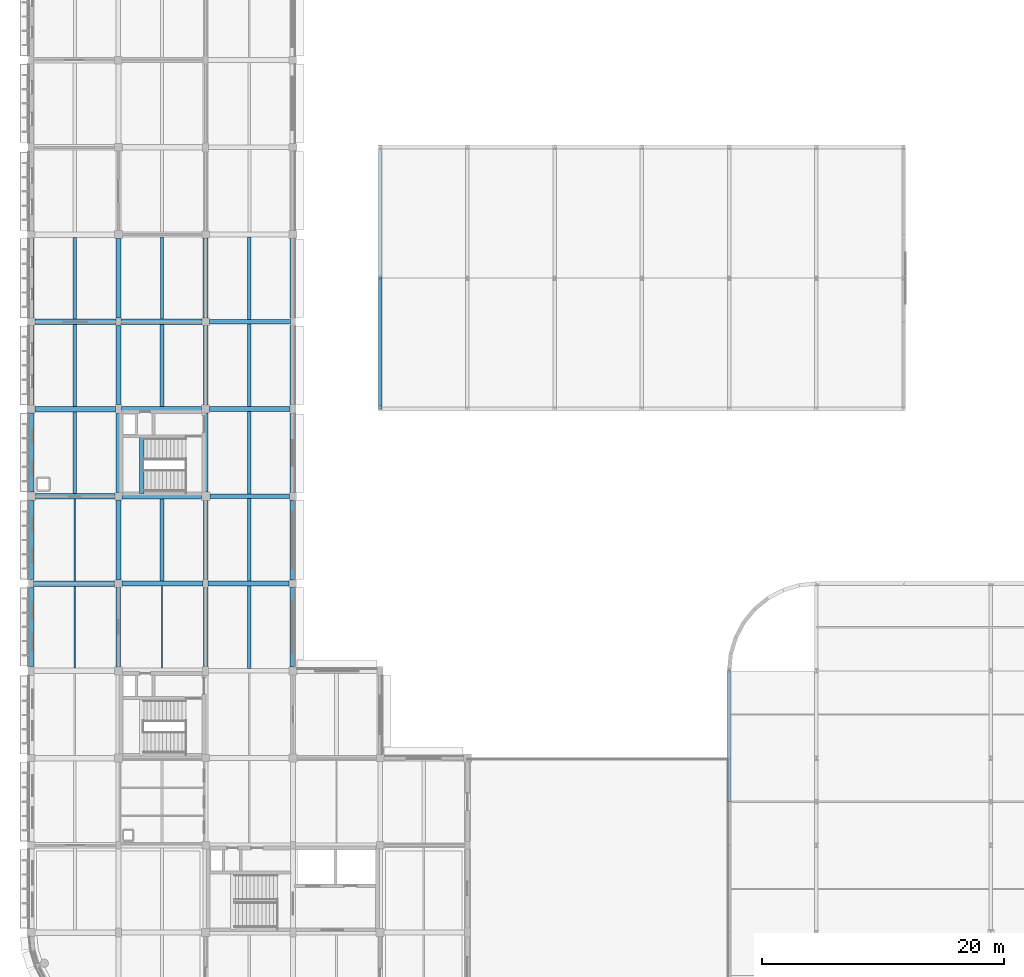
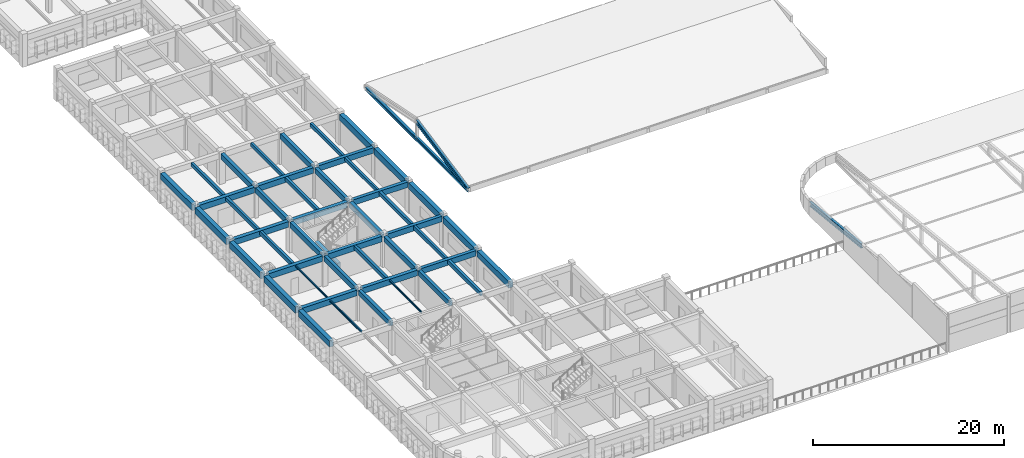
# One storey, part 18 of 103: 47 beams, 3 members.
"""IFC4 building model written with IfcOpenShell, lengths in metres."""

from ifc_helpers import new_model, si_unit, direction, frame, origin, origin_2d, place, context, subcontext, project, spatial, rectangle, i_section, extrude, material, material_profile, profile_set, type_object, element, save


model = new_model("IFC4")

# Units and contexts
model_context = context("Model", 3, precision=1e-05, world=origin(), true_north=direction((0.0, 1.0)))
body_context = subcontext(model_context, "Body", "Model", "MODEL_VIEW")
ifc_project = project(units=[si_unit("LENGTHUNIT", "METRE"), si_unit("AREAUNIT", "SQUARE_METRE"), si_unit("VOLUMEUNIT", "CUBIC_METRE"), si_unit("PLANEANGLEUNIT", "RADIAN"), si_unit("MASSUNIT", "GRAM", prefix="KILO")], contexts=[model_context])

# Site, building, storey
site_placement = place(None, origin())
site = spatial("IfcSite", under=ifc_project, at=site_placement, CompositionType="ELEMENT")
building_placement = place(site_placement, origin())
building = spatial("IfcBuilding", under=site, at=building_placement, Name="Thalmaran Polytechnic", CompositionType="ELEMENT")
storey_placement = place(building_placement, frame((0.0, 0.0, 14.39990234375)))
storey = spatial("IfcBuildingStorey", under=building, at=storey_placement, Name="L03", CompositionType="ELEMENT", Elevation=14.39990234375)

# Beams
ifc_material_1 = material(Name="Concrete C40/50", Category="concrete")
ifc_material_profile_1 = material_profile(ifc_material_1, rectangle(XDim=0.449951171875, YDim=0.72509765625, at=origin_2d()), Name="RC 450x725")
ifc_profile_set_1 = profile_set([ifc_material_profile_1], Name="Concrete C40/50")
beam_type_1 = type_object("IfcBeamType", Name="BM-RC04", PredefinedType="BEAM", material=ifc_profile_set_1)
beam_1_placement = place(storey_placement, frame((0.2099609375, 36.0, 3.57763671875), z_axis=(1.0, 0.0, 0.0), x_axis=(0.0, 1.0, 0.0)))
element("IfcBeam", 1, at=beam_1_placement, inside=storey, type_object=beam_type_1, Name="Grid Beam B04 L03 X(0,5)", PredefinedType="BEAM", context=body_context, shape_type="SweptSolid", body=[
    extrude(rectangle(XDim=0.449951171875, YDim=0.72509765625, at=origin_2d()), origin(), (0.0, 0.0, 1.0), 6.679931640625),
])
beam_2_placement = place(storey_placement, frame((0.340087890625, 43.199951171875, 3.57763671875), z_axis=(1.0, 0.0, 0.0), x_axis=(0.0, 1.0, 0.0)))
element("IfcBeam", 2, at=beam_2_placement, inside=storey, type_object=beam_type_1, Name="Grid Beam B04 L03 X(0,6)", PredefinedType="BEAM", context=body_context, shape_type="SweptSolid", body=[
    extrude(rectangle(XDim=0.449951171875, YDim=0.72509765625, at=origin_2d()), origin(), (0.0, 0.0, 1.0), 6.559814453125),
])
beam_3_placement = place(storey_placement, frame((0.324951171875, 50.39990234375, 3.57763671875), z_axis=(1.0, 0.0, 0.0), x_axis=(0.0, 1.0, 0.0)))
element("IfcBeam", 3, at=beam_3_placement, inside=storey, type_object=beam_type_1, Name="Grid Beam B04 L03 X(0,7)", PredefinedType="BEAM", context=body_context, shape_type="SweptSolid", body=[
    extrude(rectangle(XDim=0.449951171875, YDim=0.72509765625, at=origin_2d()), origin(), (0.0, 0.0, 1.0), 6.625),
])
beam_4_placement = place(storey_placement, frame((0.31005859375, 57.60009765625, 3.57763671875), z_axis=(1.0, 0.0, 0.0), x_axis=(0.0, 1.0, 0.0)))
element("IfcBeam", 4, at=beam_4_placement, inside=storey, type_object=beam_type_1, Name="Grid Beam B04 L03 X(0,8)", PredefinedType="BEAM", context=body_context, shape_type="SweptSolid", body=[
    extrude(rectangle(XDim=0.449951171875, YDim=0.72509765625, at=origin_2d()), origin(), (0.0, 0.0, 1.0), 6.679931640625),
])
ifc_material_profile_2 = material_profile(ifc_material_1, rectangle(XDim=0.39990234375, YDim=0.699951171875, at=origin_2d()), Name="RC 400x700")
ifc_profile_set_2 = profile_set([ifc_material_profile_2], Name="Concrete C40/50")
beam_type_2 = type_object("IfcBeamType", Name="BM-RC05", PredefinedType="BEAM", material=ifc_profile_set_2)
beam_5_placement = place(storey_placement, frame((14.610107421875, 36.0, 3.590087890625), z_axis=(1.0, 0.0, 0.0), x_axis=(0.0, 1.0, 0.0)))
element("IfcBeam", 5, at=beam_5_placement, inside=storey, type_object=beam_type_2, Name="Grid Beam B05 L03 X(2,5)", PredefinedType="BEAM", context=body_context, shape_type="SweptSolid", body=[
    extrude(rectangle(XDim=0.39990234375, YDim=0.699951171875, at=origin_2d()), origin(), (0.0, 0.0, 1.0), 6.679931640625),
])
beam_6_placement = place(storey_placement, frame((14.739990234375, 43.199951171875, 3.590087890625), z_axis=(1.0, 0.0, 0.0), x_axis=(0.0, 1.0, 0.0)))
element("IfcBeam", 6, at=beam_6_placement, inside=storey, type_object=beam_type_2, Name="Grid Beam B05 L03 X(2,6)", PredefinedType="BEAM", context=body_context, shape_type="SweptSolid", body=[
    extrude(rectangle(XDim=0.39990234375, YDim=0.699951171875, at=origin_2d()), origin(), (0.0, 0.0, 1.0), 6.56005859375),
])
beam_7_placement = place(storey_placement, frame((14.72509765625, 50.39990234375, 3.590087890625), z_axis=(1.0, 0.0, 0.0), x_axis=(0.0, 1.0, 0.0)))
element("IfcBeam", 7, at=beam_7_placement, inside=storey, type_object=beam_type_2, Name="Grid Beam B05 L03 X(2,7)", PredefinedType="BEAM", context=body_context, shape_type="SweptSolid", body=[
    extrude(rectangle(XDim=0.39990234375, YDim=0.699951171875, at=origin_2d()), origin(), (0.0, 0.0, 1.0), 6.625),
])
beam_8_placement = place(storey_placement, frame((14.7099609375, 57.60009765625, 3.590087890625), z_axis=(1.0, 0.0, 0.0), x_axis=(0.0, 1.0, 0.0)))
element("IfcBeam", 8, at=beam_8_placement, inside=storey, type_object=beam_type_2, Name="Grid Beam B05 L03 X(2,8)", PredefinedType="BEAM", context=body_context, shape_type="SweptSolid", body=[
    extrude(rectangle(XDim=0.39990234375, YDim=0.699951171875, at=origin_2d()), origin(), (0.0, 0.0, 1.0), 6.679931640625),
])
ifc_material_profile_3 = material_profile(ifc_material_1, rectangle(XDim=0.389892578125, YDim=0.68505859375, at=origin_2d()), Name="RC 390x685")
ifc_profile_set_3 = profile_set([ifc_material_profile_3], Name="Concrete C40/50")
beam_type_3 = type_object("IfcBeamType", Name="BM-RC08", PredefinedType="BEAM", material=ifc_profile_set_3)
beam_9_placement = place(storey_placement, frame((7.199951171875, 36.31005859375, 3.59765625), z_axis=(0.0, 1.0, 0.0), x_axis=(-1.0, 0.0, 0.0)))
element("IfcBeam", 9, at=beam_9_placement, inside=storey, type_object=beam_type_3, Name="Grid Beam B08 L03 Y(1,5)", PredefinedType="BEAM", context=body_context, shape_type="SweptSolid", body=[
    extrude(rectangle(XDim=0.389892578125, YDim=0.68505859375, at=origin_2d()), origin(), (0.0, 0.0, 1.0), 6.58984375),
])
beam_10_placement = place(storey_placement, frame((14.39990234375, 36.320068359375, 3.59765625), z_axis=(0.0, 1.0, 0.0), x_axis=(-1.0, 0.0, 0.0)))
element("IfcBeam", 10, at=beam_10_placement, inside=storey, type_object=beam_type_3, Name="Grid Beam B08 L03 Y(2,5)", PredefinedType="BEAM", context=body_context, shape_type="SweptSolid", body=[
    extrude(rectangle(XDim=0.389892578125, YDim=0.68505859375, at=origin_2d()), origin(), (0.0, 0.0, 1.0), 6.5400390625),
])
ifc_material_profile_4 = material_profile(ifc_material_1, rectangle(XDim=0.389892578125, YDim=0.68994140625, at=origin_2d()), Name="RC 390x690")
ifc_profile_set_4 = profile_set([ifc_material_profile_4], Name="Concrete C40/50")
beam_type_4 = type_object("IfcBeamType", Name="BM-RC09", PredefinedType="BEAM", material=ifc_profile_set_4)
beam_11_placement = place(storey_placement, frame((7.199951171875, 50.77490234375, 3.59521484375), z_axis=(0.0, 1.0, 0.0), x_axis=(-1.0, 0.0, 0.0)))
element("IfcBeam", 11, at=beam_11_placement, inside=storey, type_object=beam_type_4, Name="Grid Beam B09 L03 Y(1,7)", PredefinedType="BEAM", context=body_context, shape_type="SweptSolid", body=[
    extrude(rectangle(XDim=0.389892578125, YDim=0.68994140625, at=origin_2d()), origin(), (0.0, 0.0, 1.0), 6.505126953125),
])
beam_12_placement = place(storey_placement, frame((14.39990234375, 50.72509765625, 3.59521484375), z_axis=(0.0, 1.0, 0.0), x_axis=(-1.0, 0.0, 0.0)))
element("IfcBeam", 12, at=beam_12_placement, inside=storey, type_object=beam_type_4, Name="Grid Beam B09 L03 Y(2,7)", PredefinedType="BEAM", context=body_context, shape_type="SweptSolid", body=[
    extrude(rectangle(XDim=0.389892578125, YDim=0.68994140625, at=origin_2d()), origin(), (0.0, 0.0, 1.0), 6.56494140625),
])
ifc_material_profile_5 = material_profile(ifc_material_1, rectangle(XDim=0.389892578125, YDim=0.695068359375, at=origin_2d()), Name="RC 390x695")
ifc_profile_set_5 = profile_set([ifc_material_profile_5], Name="Concrete C40/50")
beam_type_5 = type_object("IfcBeamType", Name="BM-RC10", PredefinedType="BEAM", material=ifc_profile_set_5)
beam_13_placement = place(storey_placement, frame((9.1201171875, 43.43994140625, 1.64013671875), z_axis=(0.0, 1.0, 0.0), x_axis=(-1.0, 0.0, 0.0)))
element("IfcBeam", 13, at=beam_13_placement, inside=storey, type_object=beam_type_5, Name="ST4 L03 Half-Landing Trimmer Beam", PredefinedType="BEAM", context=body_context, shape_type="SweptSolid", body=[
    extrude(rectangle(XDim=0.389892578125, YDim=0.695068359375, at=origin_2d()), origin(), (0.0, 0.0, 1.0), 4.699951171875),
])
ifc_material_profile_6 = material_profile(ifc_material_1, rectangle(XDim=0.300048828125, YDim=0.5, at=origin_2d()), Name="RC 300x500")
ifc_profile_set_6 = profile_set([ifc_material_profile_6], Name="Concrete C40/50")
beam_type_6 = type_object("IfcBeamType", Name="BM-RC11", PredefinedType="JOIST", material=ifc_profile_set_6)
beam_14_placement = place(storey_placement, frame((3.60009765625, 43.425048828125, 3.690185546875), z_axis=(0.0, 1.0, 0.0), x_axis=(-1.0, 0.0, 0.0)))
element("IfcBeam", 14, at=beam_14_placement, inside=storey, type_object=beam_type_6, Name="Secondary Floor Rib RB01 L03 (0,6)", PredefinedType="JOIST", context=body_context, shape_type="SweptSolid", body=[
    extrude(rectangle(XDim=0.300048828125, YDim=0.5, at=origin_2d()), origin(), (0.0, 0.0, 1.0), 6.75),
])
beam_15_placement = place(storey_placement, frame((10.800048828125, 36.219970703125, 3.690185546875), z_axis=(0.0, 1.0, 0.0), x_axis=(-1.0, 0.0, 0.0)))
element("IfcBeam", 15, at=beam_15_placement, inside=storey, type_object=beam_type_6, Name="Secondary Floor Rib RB01 L03 (1,5)", PredefinedType="JOIST", context=body_context, shape_type="SweptSolid", body=[
    extrude(rectangle(XDim=0.300048828125, YDim=0.5, at=origin_2d()), origin(), (0.0, 0.0, 1.0), 6.760009765625),
])
beam_16_placement = place(storey_placement, frame((18.0, 29.0, 3.690185546875), z_axis=(0.0, 1.0, 0.0), x_axis=(-1.0, 0.0, 0.0)))
element("IfcBeam", 16, at=beam_16_placement, inside=storey, type_object=beam_type_6, Name="Secondary Floor Rib RB01 L03 (2,4)", PredefinedType="JOIST", context=body_context, shape_type="SweptSolid", body=[
    extrude(rectangle(XDim=0.300048828125, YDim=0.5, at=origin_2d()), origin(), (0.0, 0.0, 1.0), 6.800048828125),
])
ifc_material_profile_7 = material_profile(ifc_material_1, rectangle(XDim=0.300048828125, YDim=0.449951171875, at=origin_2d()), Name="RC 300x450")
ifc_profile_set_7 = profile_set([ifc_material_profile_7], Name="Concrete C40/50")
beam_type_7 = type_object("IfcBeamType", Name="BM-RC12", PredefinedType="JOIST", material=ifc_profile_set_7)
beam_17_placement = place(storey_placement, frame((3.60009765625, 57.824951171875, 3.715087890625), z_axis=(0.0, 1.0, 0.0), x_axis=(-1.0, 0.0, 0.0)))
element("IfcBeam", 17, at=beam_17_placement, inside=storey, type_object=beam_type_7, Name="Secondary Floor Rib RB02 L03 (0,8)", PredefinedType="JOIST", context=body_context, shape_type="SweptSolid", body=[
    extrude(rectangle(XDim=0.300048828125, YDim=0.449951171875, at=origin_2d()), origin(), (0.0, 0.0, 1.0), 6.75),
])
beam_18_placement = place(storey_placement, frame((10.800048828125, 50.6201171875, 3.715087890625), z_axis=(0.0, 1.0, 0.0), x_axis=(-1.0, 0.0, 0.0)))
element("IfcBeam", 18, at=beam_18_placement, inside=storey, type_object=beam_type_7, Name="Secondary Floor Rib RB02 L03 (1,7)", PredefinedType="JOIST", context=body_context, shape_type="SweptSolid", body=[
    extrude(rectangle(XDim=0.300048828125, YDim=0.449951171875, at=origin_2d()), origin(), (0.0, 0.0, 1.0), 6.759765625),
])
beam_19_placement = place(storey_placement, frame((18.0, 43.39990234375, 3.715087890625), z_axis=(0.0, 1.0, 0.0), x_axis=(-1.0, 0.0, 0.0)))
element("IfcBeam", 19, at=beam_19_placement, inside=storey, type_object=beam_type_7, Name="Secondary Floor Rib RB02 L03 (2,6)", PredefinedType="JOIST", context=body_context, shape_type="SweptSolid", body=[
    extrude(rectangle(XDim=0.300048828125, YDim=0.449951171875, at=origin_2d()), origin(), (0.0, 0.0, 1.0), 6.800048828125),
])
ifc_material_profile_8 = material_profile(ifc_material_1, rectangle(XDim=0.280029296875, YDim=0.449951171875, at=origin_2d()), Name="RC 280x450")
ifc_profile_set_8 = profile_set([ifc_material_profile_8], Name="Concrete C40/50")
beam_type_8 = type_object("IfcBeamType", Name="BM-RC13", PredefinedType="JOIST", material=ifc_profile_set_8)
beam_20_placement = place(storey_placement, frame((18.0, 57.800048828125, 3.715087890625), z_axis=(0.0, 1.0, 0.0), x_axis=(-1.0, 0.0, 0.0)))
element("IfcBeam", 20, at=beam_20_placement, inside=storey, type_object=beam_type_8, Name="Secondary Floor Rib RB03 L03 (2,8)", PredefinedType="JOIST", context=body_context, shape_type="SweptSolid", body=[
    extrude(rectangle(XDim=0.280029296875, YDim=0.449951171875, at=origin_2d()), origin(), (0.0, 0.0, 1.0), 6.800048828125),
])
ifc_material_2 = material(Name="Steel S355", Category="steel")
ifc_material_profile_9 = material_profile(ifc_material_2, i_section(OverallWidth=0.135009765625, OverallDepth=0.27001953125, WebThickness=0.006591796875, FlangeThickness=0.01025390625, at=origin_2d()), Name="IPE 270")
ifc_profile_set_9 = profile_set([ifc_material_profile_9], Name="Steel S355")
beam_type_9 = type_object("IfcBeamType", Name="BM-SJ03", PredefinedType="JOIST", material=ifc_profile_set_9)
beam_21_placement = place(storey_placement, frame((3.60009765625, 29.02490234375, 3.80517578125), z_axis=(0.0, 1.0, 0.0), x_axis=(-1.0, 0.0, 0.0)))
element("IfcBeam", 21, at=beam_21_placement, inside=storey, type_object=beam_type_9, Name="Secondary Floor Rib SJ03 L03 (0,4)", PredefinedType="JOIST", context=body_context, shape_type="SweptSolid", body=[
    extrude(i_section(OverallWidth=0.135009765625, OverallDepth=0.27001953125, WebThickness=0.006591796875, FlangeThickness=0.01025390625, at=origin_2d()), origin(), (0.0, 0.0, 1.0), 6.75),
])
ifc_material_profile_10 = material_profile(ifc_material_2, i_section(OverallWidth=0.110107421875, OverallDepth=0.219970703125, WebThickness=0.005859375, FlangeThickness=0.00927734375, at=origin_2d()), Name="IPE 220")
ifc_profile_set_10 = profile_set([ifc_material_profile_10], Name="Steel S355")
beam_type_10 = type_object("IfcBeamType", Name="BM-SJ04", PredefinedType="JOIST", material=ifc_profile_set_10)
beam_22_placement = place(storey_placement, frame((3.60009765625, 36.22509765625, 3.830078125), z_axis=(0.0, 1.0, 0.0), x_axis=(-1.0, 0.0, 0.0)))
element("IfcBeam", 22, at=beam_22_placement, inside=storey, type_object=beam_type_10, Name="Secondary Floor Rib SJ04 L03 (0,5)", PredefinedType="JOIST", context=body_context, shape_type="SweptSolid", body=[
    extrude(i_section(OverallWidth=0.110107421875, OverallDepth=0.219970703125, WebThickness=0.005859375, FlangeThickness=0.00927734375, at=origin_2d()), origin(), (0.0, 0.0, 1.0), 6.75),
])
beam_23_placement = place(storey_placement, frame((10.800048828125, 29.02001953125, 3.830078125), z_axis=(0.0, 1.0, 0.0), x_axis=(-1.0, 0.0, 0.0)))
element("IfcBeam", 23, at=beam_23_placement, inside=storey, type_object=beam_type_10, Name="Secondary Floor Rib SJ04 L03 (1,4)", PredefinedType="JOIST", context=body_context, shape_type="SweptSolid", body=[
    extrude(i_section(OverallWidth=0.110107421875, OverallDepth=0.219970703125, WebThickness=0.005859375, FlangeThickness=0.00927734375, at=origin_2d()), origin(), (0.0, 0.0, 1.0), 6.760009765625),
])
ifc_material_profile_11 = material_profile(ifc_material_1, rectangle(XDim=0.5, YDim=0.804931640625, at=origin_2d()), Name="RC 500x805")
ifc_profile_set_11 = profile_set([ifc_material_profile_11], Name="Concrete C40/50")
beam_type_11 = type_object("IfcBeamType", Name="BM-SP03", PredefinedType="SPANDREL", material=ifc_profile_set_11)
beam_24_placement = place(storey_placement, frame((0.0, 29.175048828125, 3.53759765625), z_axis=(0.0, 1.0, 0.0), x_axis=(-1.0, 0.0, 0.0)))
element("IfcBeam", 24, at=beam_24_placement, inside=storey, type_object=beam_type_11, Name="Grid Beam SP03 L03 Y(0,4)", PredefinedType="SPANDREL", context=body_context, shape_type="SweptSolid", body=[
    extrude(rectangle(XDim=0.5, YDim=0.804931640625, at=origin_2d()), origin(), (0.0, 0.0, 1.0), 6.5048828125),
])
beam_25_placement = place(storey_placement, frame((0.0, 36.320068359375, 3.53759765625), z_axis=(0.0, 1.0, 0.0), x_axis=(-1.0, 0.0, 0.0)))
element("IfcBeam", 25, at=beam_25_placement, inside=storey, type_object=beam_type_11, Name="Grid Beam SP03 L03 Y(0,5)", PredefinedType="SPANDREL", context=body_context, shape_type="SweptSolid", body=[
    extrude(rectangle(XDim=0.5, YDim=0.804931640625, at=origin_2d()), origin(), (0.0, 0.0, 1.0), 6.5400390625),
])
beam_26_placement = place(storey_placement, frame((0.0, 43.5400390625, 3.53759765625), z_axis=(0.0, 1.0, 0.0), x_axis=(-1.0, 0.0, 0.0)))
element("IfcBeam", 26, at=beam_26_placement, inside=storey, type_object=beam_type_11, Name="Grid Beam SP03 L03 Y(0,6)", PredefinedType="SPANDREL", context=body_context, shape_type="SweptSolid", body=[
    extrude(rectangle(XDim=0.5, YDim=0.804931640625, at=origin_2d()), origin(), (0.0, 0.0, 1.0), 6.534912109375),
])
beam_27_placement = place(storey_placement, frame((0.0, 50.72509765625, 3.53759765625), z_axis=(0.0, 1.0, 0.0), x_axis=(-1.0, 0.0, 0.0)))
element("IfcBeam", 27, at=beam_27_placement, inside=storey, type_object=beam_type_11, Name="Grid Beam SP03 L03 Y(0,7)", PredefinedType="SPANDREL", context=body_context, shape_type="SweptSolid", body=[
    extrude(rectangle(XDim=0.5, YDim=0.804931640625, at=origin_2d()), origin(), (0.0, 0.0, 1.0), 6.56494140625),
])
beam_28_placement = place(storey_placement, frame((0.0, 57.909912109375, 3.53759765625), z_axis=(0.0, 1.0, 0.0), x_axis=(-1.0, 0.0, 0.0)))
element("IfcBeam", 28, at=beam_28_placement, inside=storey, type_object=beam_type_11, Name="Grid Beam SP03 L03 Y(0,8)", PredefinedType="SPANDREL", context=body_context, shape_type="SweptSolid", body=[
    extrude(rectangle(XDim=0.5, YDim=0.804931640625, at=origin_2d()), origin(), (0.0, 0.0, 1.0), 6.590087890625),
])
beam_29_placement = place(storey_placement, frame((21.60009765625, 29.125, 3.53759765625), z_axis=(0.0, 1.0, 0.0), x_axis=(-1.0, 0.0, 0.0)))
element("IfcBeam", 29, at=beam_29_placement, inside=storey, type_object=beam_type_11, Name="Grid Beam SP03 L03 Y(3,4)", PredefinedType="SPANDREL", context=body_context, shape_type="SweptSolid", body=[
    extrude(rectangle(XDim=0.5, YDim=0.804931640625, at=origin_2d()), origin(), (0.0, 0.0, 1.0), 6.56494140625),
])
beam_30_placement = place(storey_placement, frame((21.60009765625, 36.31005859375, 3.53759765625), z_axis=(0.0, 1.0, 0.0), x_axis=(-1.0, 0.0, 0.0)))
element("IfcBeam", 30, at=beam_30_placement, inside=storey, type_object=beam_type_11, Name="Grid Beam SP03 L03 Y(3,5)", PredefinedType="SPANDREL", context=body_context, shape_type="SweptSolid", body=[
    extrude(rectangle(XDim=0.5, YDim=0.804931640625, at=origin_2d()), origin(), (0.0, 0.0, 1.0), 6.58984375),
])
beam_31_placement = place(storey_placement, frame((21.60009765625, 43.5, 3.53759765625), z_axis=(0.0, 1.0, 0.0), x_axis=(-1.0, 0.0, 0.0)))
element("IfcBeam", 31, at=beam_31_placement, inside=storey, type_object=beam_type_11, Name="Grid Beam SP03 L03 Y(3,6)", PredefinedType="SPANDREL", context=body_context, shape_type="SweptSolid", body=[
    extrude(rectangle(XDim=0.5, YDim=0.804931640625, at=origin_2d()), origin(), (0.0, 0.0, 1.0), 6.52490234375),
])
beam_32_placement = place(storey_placement, frame((21.60009765625, 50.77490234375, 3.53759765625), z_axis=(0.0, 1.0, 0.0), x_axis=(-1.0, 0.0, 0.0)))
element("IfcBeam", 32, at=beam_32_placement, inside=storey, type_object=beam_type_11, Name="Grid Beam SP03 L03 Y(3,7)", PredefinedType="SPANDREL", context=body_context, shape_type="SweptSolid", body=[
    extrude(rectangle(XDim=0.5, YDim=0.804931640625, at=origin_2d()), origin(), (0.0, 0.0, 1.0), 6.505126953125),
])
beam_33_placement = place(storey_placement, frame((21.60009765625, 57.919921875, 3.53759765625), z_axis=(0.0, 1.0, 0.0), x_axis=(-1.0, 0.0, 0.0)))
element("IfcBeam", 33, at=beam_33_placement, inside=storey, type_object=beam_type_11, Name="Grid Beam SP03 L03 Y(3,8)", PredefinedType="SPANDREL", context=body_context, shape_type="SweptSolid", body=[
    extrude(rectangle(XDim=0.5, YDim=0.804931640625, at=origin_2d()), origin(), (0.0, 0.0, 1.0), 6.5400390625),
])
ifc_material_profile_12 = material_profile(ifc_material_1, rectangle(XDim=0.43994140625, YDim=0.719970703125, at=origin_2d()), Name="RC 440x720")
ifc_profile_set_12 = profile_set([ifc_material_profile_12], Name="Concrete C40/50")
beam_type_12 = type_object("IfcBeamType", Name="BM-ZB03", PredefinedType="BEAM", material=ifc_profile_set_12)
beam_34_placement = place(storey_placement, frame((7.510009765625, 36.0, 3.580078125), z_axis=(1.0, 0.0, 0.0), x_axis=(0.0, 1.0, 0.0)))
element("IfcBeam", 34, at=beam_34_placement, inside=storey, type_object=beam_type_12, Name="Grid Beam ZB03 L03 X(1,5)", PredefinedType="BEAM", context=body_context, shape_type="SweptSolid", body=[
    extrude(rectangle(XDim=0.43994140625, YDim=0.719970703125, at=origin_2d()), origin(), (0.0, 0.0, 1.0), 6.679931640625),
])
beam_35_placement = place(storey_placement, frame((7.5, 43.199951171875, 3.580078125), z_axis=(1.0, 0.0, 0.0), x_axis=(0.0, 1.0, 0.0)))
element("IfcBeam", 35, at=beam_35_placement, inside=storey, type_object=beam_type_12, Name="Grid Beam ZB03 L03 X(1,6)", PredefinedType="BEAM", context=body_context, shape_type="SweptSolid", body=[
    extrude(rectangle(XDim=0.43994140625, YDim=0.719970703125, at=origin_2d()), origin(), (0.0, 0.0, 1.0), 6.56005859375),
])
beam_36_placement = place(storey_placement, frame((7.449951171875, 50.39990234375, 3.580078125), z_axis=(1.0, 0.0, 0.0), x_axis=(0.0, 1.0, 0.0)))
element("IfcBeam", 36, at=beam_36_placement, inside=storey, type_object=beam_type_12, Name="Grid Beam ZB03 L03 X(1,7)", PredefinedType="BEAM", context=body_context, shape_type="SweptSolid", body=[
    extrude(rectangle(XDim=0.43994140625, YDim=0.719970703125, at=origin_2d()), origin(), (0.0, 0.0, 1.0), 6.625),
])
beam_37_placement = place(storey_placement, frame((7.409912109375, 57.60009765625, 3.580078125), z_axis=(1.0, 0.0, 0.0), x_axis=(0.0, 1.0, 0.0)))
element("IfcBeam", 37, at=beam_37_placement, inside=storey, type_object=beam_type_12, Name="Grid Beam ZB03 L03 X(1,8)", PredefinedType="BEAM", context=body_context, shape_type="SweptSolid", body=[
    extrude(rectangle(XDim=0.43994140625, YDim=0.719970703125, at=origin_2d()), origin(), (0.0, 0.0, 1.0), 6.68017578125),
])
ifc_material_profile_13 = material_profile(ifc_material_1, rectangle(XDim=0.3798828125, YDim=0.635009765625, at=origin_2d()), Name="RC 380x635")
ifc_profile_set_13 = profile_set([ifc_material_profile_13], Name="Concrete C40/50")
beam_type_13 = type_object("IfcBeamType", Name="BM-ZB06", PredefinedType="BEAM", material=ifc_profile_set_13)
beam_38_placement = place(storey_placement, frame((7.199951171875, 29.125, 3.62255859375), z_axis=(0.0, 1.0, 0.0), x_axis=(-1.0, 0.0, 0.0)))
element("IfcBeam", 38, at=beam_38_placement, inside=storey, type_object=beam_type_13, Name="Grid Beam ZB06 L03 Y(1,4)", PredefinedType="BEAM", context=body_context, shape_type="SweptSolid", body=[
    extrude(rectangle(XDim=0.3798828125, YDim=0.635009765625, at=origin_2d()), origin(), (0.0, 0.0, 1.0), 6.56494140625),
])
beam_39_placement = place(storey_placement, frame((14.39990234375, 29.175048828125, 3.62255859375), z_axis=(0.0, 1.0, 0.0), x_axis=(-1.0, 0.0, 0.0)))
element("IfcBeam", 39, at=beam_39_placement, inside=storey, type_object=beam_type_13, Name="Grid Beam ZB06 L03 Y(2,4)", PredefinedType="BEAM", context=body_context, shape_type="SweptSolid", body=[
    extrude(rectangle(XDim=0.3798828125, YDim=0.635009765625, at=origin_2d()), origin(), (0.0, 0.0, 1.0), 6.5048828125),
])
ifc_material_profile_14 = material_profile(ifc_material_1, rectangle(XDim=0.39990234375, YDim=0.68505859375, at=origin_2d()), Name="RC 400x685")
ifc_profile_set_14 = profile_set([ifc_material_profile_14], Name="Concrete C40/50")
beam_type_14 = type_object("IfcBeamType", Name="BM-ZB07", PredefinedType="BEAM", material=ifc_profile_set_14)
beam_40_placement = place(storey_placement, frame((7.199951171875, 43.5, 3.59765625), z_axis=(0.0, 1.0, 0.0), x_axis=(-1.0, 0.0, 0.0)))
element("IfcBeam", 40, at=beam_40_placement, inside=storey, type_object=beam_type_14, Name="Grid Beam ZB07 L03 Y(1,6)", PredefinedType="BEAM", context=body_context, shape_type="SweptSolid", body=[
    extrude(rectangle(XDim=0.39990234375, YDim=0.68505859375, at=origin_2d()), origin(), (0.0, 0.0, 1.0), 6.52490234375),
])
beam_41_placement = place(storey_placement, frame((14.39990234375, 43.5400390625, 3.59765625), z_axis=(0.0, 1.0, 0.0), x_axis=(-1.0, 0.0, 0.0)))
element("IfcBeam", 41, at=beam_41_placement, inside=storey, type_object=beam_type_14, Name="Grid Beam ZB07 L03 Y(2,6)", PredefinedType="BEAM", context=body_context, shape_type="SweptSolid", body=[
    extrude(rectangle(XDim=0.39990234375, YDim=0.68505859375, at=origin_2d()), origin(), (0.0, 0.0, 1.0), 6.534912109375),
])
ifc_material_profile_15 = material_profile(ifc_material_1, rectangle(XDim=0.39990234375, YDim=0.695068359375, at=origin_2d()), Name="RC 400x695")
ifc_profile_set_15 = profile_set([ifc_material_profile_15], Name="Concrete C40/50")
beam_type_15 = type_object("IfcBeamType", Name="BM-ZB08", PredefinedType="BEAM", material=ifc_profile_set_15)
beam_42_placement = place(storey_placement, frame((7.199951171875, 57.919921875, 3.592529296875), z_axis=(0.0, 1.0, 0.0), x_axis=(-1.0, 0.0, 0.0)))
element("IfcBeam", 42, at=beam_42_placement, inside=storey, type_object=beam_type_15, Name="Grid Beam ZB08 L03 Y(1,8)", PredefinedType="BEAM", context=body_context, shape_type="SweptSolid", body=[
    extrude(rectangle(XDim=0.39990234375, YDim=0.695068359375, at=origin_2d()), origin(), (0.0, 0.0, 1.0), 6.5400390625),
])
beam_43_placement = place(storey_placement, frame((14.39990234375, 57.909912109375, 3.592529296875), z_axis=(0.0, 1.0, 0.0), x_axis=(-1.0, 0.0, 0.0)))
element("IfcBeam", 43, at=beam_43_placement, inside=storey, type_object=beam_type_15, Name="Grid Beam ZB08 L03 Y(2,8)", PredefinedType="BEAM", context=body_context, shape_type="SweptSolid", body=[
    extrude(rectangle(XDim=0.39990234375, YDim=0.695068359375, at=origin_2d()), origin(), (0.0, 0.0, 1.0), 6.590087890625),
])
ifc_material_profile_16 = material_profile(ifc_material_1, rectangle(XDim=0.280029296875, YDim=0.47998046875, at=origin_2d()), Name="RC 280x480")
ifc_profile_set_16 = profile_set([ifc_material_profile_16], Name="Concrete C40/50")
beam_type_16 = type_object("IfcBeamType", Name="BM-ZJ01", PredefinedType="JOIST", material=ifc_profile_set_16)
beam_44_placement = place(storey_placement, frame((3.60009765625, 50.625, 3.7001953125), z_axis=(0.0, 1.0, 0.0), x_axis=(-1.0, 0.0, 0.0)))
element("IfcBeam", 44, at=beam_44_placement, inside=storey, type_object=beam_type_16, Name="Secondary Floor Rib ZJ01 L03 (0,7)", PredefinedType="JOIST", context=body_context, shape_type="SweptSolid", body=[
    extrude(rectangle(XDim=0.280029296875, YDim=0.47998046875, at=origin_2d()), origin(), (0.0, 0.0, 1.0), 6.75),
])
beam_45_placement = place(storey_placement, frame((18.0, 36.199951171875, 3.7001953125), z_axis=(0.0, 1.0, 0.0), x_axis=(-1.0, 0.0, 0.0)))
element("IfcBeam", 45, at=beam_45_placement, inside=storey, type_object=beam_type_16, Name="Secondary Floor Rib ZJ01 L03 (2,5)", PredefinedType="JOIST", context=body_context, shape_type="SweptSolid", body=[
    extrude(rectangle(XDim=0.280029296875, YDim=0.47998046875, at=origin_2d()), origin(), (0.0, 0.0, 1.0), 6.800048828125),
])
ifc_material_profile_17 = material_profile(ifc_material_1, rectangle(XDim=0.260009765625, YDim=0.43994140625, at=origin_2d()), Name="RC 260x440")
ifc_profile_set_17 = profile_set([ifc_material_profile_17], Name="Concrete C40/50")
beam_type_17 = type_object("IfcBeamType", Name="BM-ZJ02", PredefinedType="JOIST", material=ifc_profile_set_17)
beam_46_placement = place(storey_placement, frame((10.800048828125, 57.820068359375, 3.72021484375), z_axis=(0.0, 1.0, 0.0), x_axis=(-1.0, 0.0, 0.0)))
element("IfcBeam", 46, at=beam_46_placement, inside=storey, type_object=beam_type_17, Name="Secondary Floor Rib ZJ02 L03 (1,8)", PredefinedType="JOIST", context=body_context, shape_type="SweptSolid", body=[
    extrude(rectangle(XDim=0.260009765625, YDim=0.43994140625, at=origin_2d()), origin(), (0.0, 0.0, 1.0), 6.760009765625),
])
beam_47_placement = place(storey_placement, frame((18.0, 50.60009765625, 3.72021484375), z_axis=(0.0, 1.0, 0.0), x_axis=(-1.0, 0.0, 0.0)))
element("IfcBeam", 47, at=beam_47_placement, inside=storey, type_object=beam_type_17, Name="Secondary Floor Rib ZJ02 L03 (2,7)", PredefinedType="JOIST", context=body_context, shape_type="SweptSolid", body=[
    extrude(rectangle(XDim=0.260009765625, YDim=0.43994140625, at=origin_2d()), origin(), (0.0, 0.0, 1.0), 6.7998046875),
])

# Members
ifc_material_profile_18 = material_profile(ifc_material_2, i_section(OverallWidth=0.300048828125, OverallDepth=0.449951171875, WebThickness=0.013916015625, FlangeThickness=0.02587890625, at=origin_2d()), Name="HEB 450")
ifc_profile_set_18 = profile_set([ifc_material_profile_18], Name="Steel S355")
member_type_1 = type_object("IfcMemberType", Name="MB-CHD1", PredefinedType="CHORD", material=ifc_profile_set_18)
member_1_placement = place(storey_placement, frame((28.800048828125, 50.64990234375, 0.2001953125), z_axis=(0.0, 1.0, 0.0), x_axis=(-1.0, 0.0, 0.0)))
element("IfcMember", 48, at=member_1_placement, inside=storey, type_object=member_type_1, Name="Refectory Truss Bottom Tie G04", PredefinedType="CHORD", context=body_context, shape_type="SweptSolid", body=[
    extrude(i_section(OverallWidth=0.300048828125, OverallDepth=0.449951171875, WebThickness=0.013916015625, FlangeThickness=0.02587890625, at=origin_2d()), origin(), (0.0, 0.0, 1.0), 21.10009765625),
])
ifc_material_profile_19 = material_profile(ifc_material_2, i_section(OverallWidth=0.300048828125, OverallDepth=0.550048828125, WebThickness=0.014892578125, FlangeThickness=0.029052734375, at=origin_2d()), Name="HEB 550")
ifc_profile_set_19 = profile_set([ifc_material_profile_19], Name="Steel S355")
member_type_2 = type_object("IfcMemberType", Name="MB-RAF1", PredefinedType="RAFTER", material=ifc_profile_set_19)
member_2_placement = place(storey_placement, frame((57.60009765625, 18.0, 2.625), z_axis=(0.0, 0.99433217494, -0.106318041175), x_axis=(-1.0, 0.0, 0.0)))
element("IfcMember", 49, at=member_2_placement, inside=storey, type_object=member_type_2, Name="Lecture Raked Roof Rafter North G08", PredefinedType="RAFTER", context=body_context, shape_type="SweptSolid", body=[
    extrude(i_section(OverallWidth=0.300048828125, OverallDepth=0.550048828125, WebThickness=0.014892578125, FlangeThickness=0.029052734375, at=origin_2d()), origin(), (0.0, 0.0, 1.0), 10.861572265625),
])
member_3_placement = place(storey_placement, frame((28.800048828125, 50.39990234375, 0.2001953125), z_axis=(0.0, 0.979925221211, 0.199365395278), x_axis=(-1.0, 0.0, 0.0)))
element("IfcMember", 50, at=member_3_placement, inside=storey, type_object=member_type_2, Name="Refectory Parasol Rafter G04-S", PredefinedType="RAFTER", context=body_context, shape_type="SweptSolid", body=[
    extrude(i_section(OverallWidth=0.300048828125, OverallDepth=0.550048828125, WebThickness=0.014892578125, FlangeThickness=0.029052734375, at=origin_2d()), origin(), (0.0, 0.0, 1.0), 11.021240234375),
])

save(model, "model.ifc")
